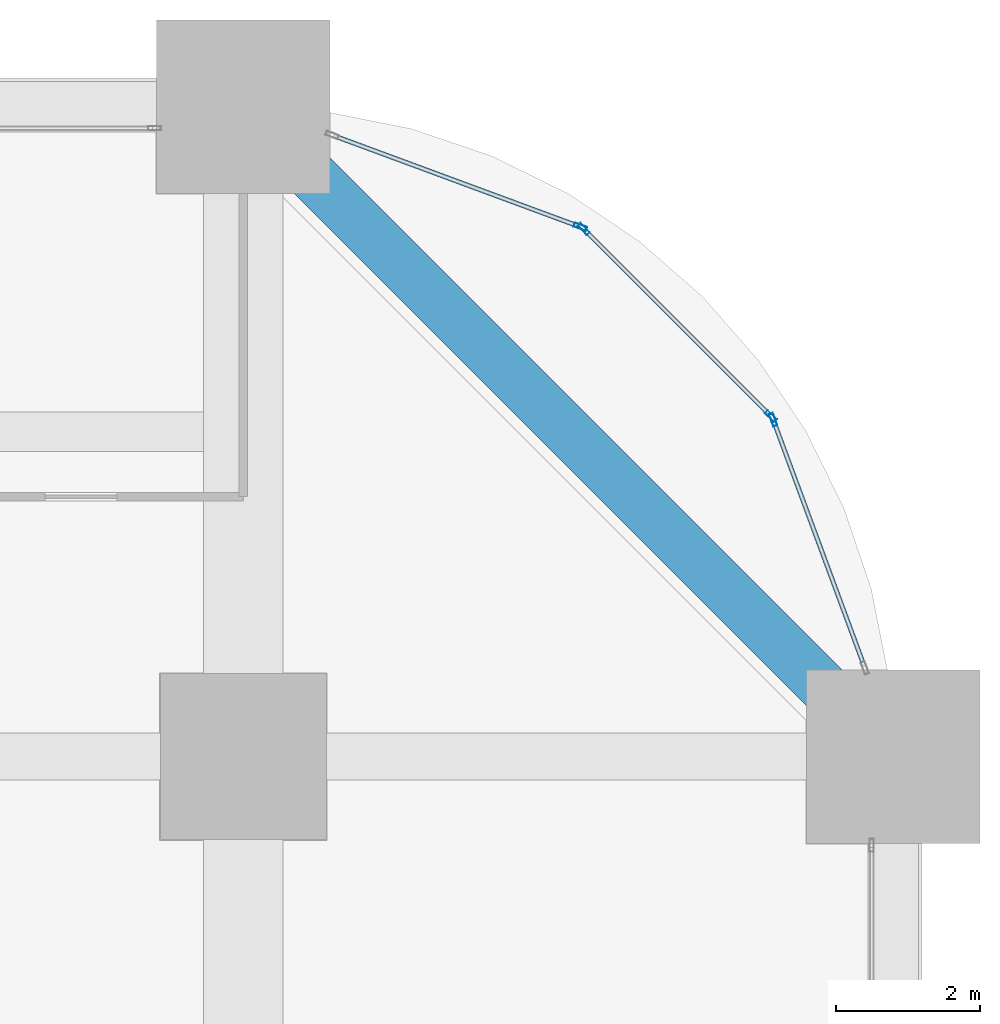
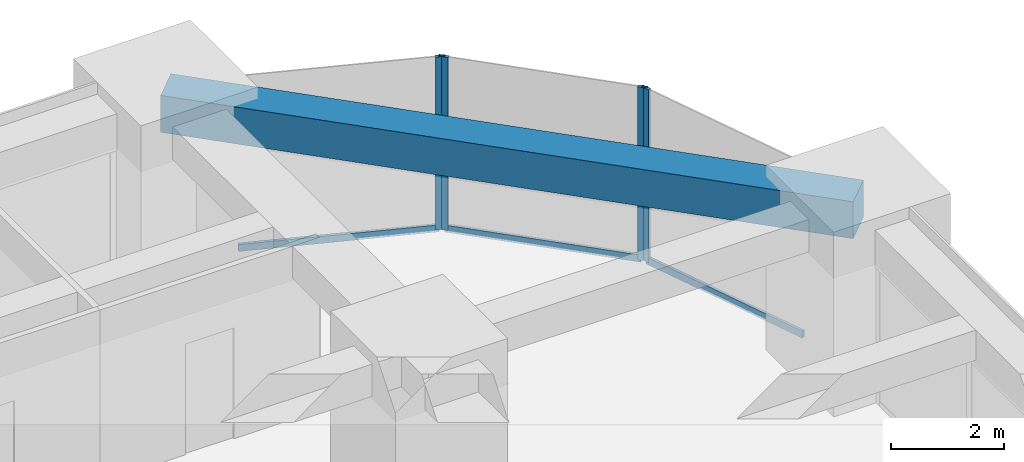
# One storey, part 37 of 44: 7 members, 1 beam, 3 elements without a shape of their own.
"""IFC4 building model written with IfcOpenShell, lengths in metres."""

from ifc_helpers import new_model, si_unit, direction, frame, origin, origin_2d, place, context, subcontext, project, spatial, rectangle, hollow_rectangle, extrude, material, material_profile, profile_set, type_object, element, aggregate, save


model = new_model("IFC4")

# Units and contexts
model_context = context("Model", 3, precision=1e-05, world=origin(), true_north=direction((0.0, 1.0)))
body_context = subcontext(model_context, "Body", "Model", "MODEL_VIEW")
ifc_project = project(units=[si_unit("LENGTHUNIT", "METRE"), si_unit("AREAUNIT", "SQUARE_METRE"), si_unit("VOLUMEUNIT", "CUBIC_METRE"), si_unit("PLANEANGLEUNIT", "RADIAN"), si_unit("MASSUNIT", "GRAM", prefix="KILO")], contexts=[model_context])

# Site, building, storey
site_placement = place(None, origin())
site = spatial("IfcSite", under=ifc_project, at=site_placement, CompositionType="ELEMENT")
building_placement = place(site_placement, origin())
building = spatial("IfcBuilding", under=site, at=building_placement, Name="Zorevar Civic Tower", CompositionType="ELEMENT")
storey_placement = place(building_placement, frame((0.0, 0.0, 31.800048828125)))
storey = spatial("IfcBuildingStorey", under=building, at=storey_placement, Name="L07", CompositionType="ELEMENT", Elevation=31.800048828125)

# Curtain wall, member
ifc_material_1 = material(Name="Dark grey solar-control glass in black aluminium frame", Category="aluminium")
curtain_wall_type = type_object("IfcCurtainWallType", Name="Curtain wall CW2 low zone", PredefinedType="NOTDEFINED", material=ifc_material_1)
curtain_wall_1_placement = place(storey_placement, origin())
curtain_wall_1 = element("IfcCurtainWall", 1, at=curtain_wall_1_placement, inside=storey, type_object=curtain_wall_type, Name="CW2 L07", PredefinedType="NOTDEFINED")
ifc_material_2 = material(Name="Aluminium, black anodised", Category="aluminium")
ifc_material_profile_1 = material_profile(ifc_material_2, hollow_rectangle(XDim=0.06005859375, YDim=0.179931640625, WallThickness=0.00390625, at=origin_2d()), Name="AL 180x60x4")
ifc_profile_set_1 = profile_set([ifc_material_profile_1], Name="Aluminium, black anodised")
member_type_1 = type_object("IfcMemberType", Name="CW2 mullion AL 180x60x4", PredefinedType="MULLION", material=ifc_profile_set_1)
member_1_placement = place(storey_placement, frame((61.336181640625, 49.66455078125, 0.0), z_axis=(0.0, 0.0, 1.0), x_axis=(-0.937974588163, -0.346704012033, 0.0)))
member_1 = element("IfcMember", 2, at=member_1_placement, type_object=member_type_1, Name="CW2 mullion 2", PredefinedType="MULLION", context=body_context, shape_type="SweptSolid", body=[
    extrude(hollow_rectangle(XDim=0.06005859375, YDim=0.179931640625, WallThickness=0.00390625, at=origin_2d()), origin(), (0.0, 0.0, 1.0), 3.75),
])

# Curtain wall, members
curtain_wall_2_placement = place(storey_placement, origin())
curtain_wall_2 = element("IfcCurtainWall", 3, at=curtain_wall_2_placement, inside=storey, type_object=curtain_wall_type, Name="CW2 L07", PredefinedType="NOTDEFINED")
member_2_placement = place(storey_placement, frame((61.3046875, 49.7138671875, 0.0), z_axis=(0.0, 0.0, 1.0), x_axis=(-0.707106781187, -0.707106781187, 0.0)))
member_2 = element("IfcMember", 4, at=member_2_placement, type_object=member_type_1, Name="CW2 mullion 1", PredefinedType="MULLION", context=body_context, shape_type="SweptSolid", body=[
    extrude(hollow_rectangle(XDim=0.06005859375, YDim=0.179931640625, WallThickness=0.00390625, at=origin_2d()), origin(), (0.0, 0.0, 1.0), 3.75),
])
member_3_placement = place(storey_placement, frame((58.7138671875, 52.3046875, 0.0), z_axis=(0.0, 0.0, 1.0), x_axis=(-0.707106781187, -0.707106781187, 0.0)))
member_3 = element("IfcMember", 5, at=member_3_placement, type_object=member_type_1, Name="CW2 mullion 2", PredefinedType="MULLION", context=body_context, shape_type="SweptSolid", body=[
    extrude(hollow_rectangle(XDim=0.06005859375, YDim=0.179931640625, WallThickness=0.00390625, at=origin_2d()), origin(), (0.0, 0.0, 1.0), 3.75),
])

# Curtain wall, member
curtain_wall_3_placement = place(storey_placement, origin())
curtain_wall_3 = element("IfcCurtainWall", 6, at=curtain_wall_3_placement, inside=storey, type_object=curtain_wall_type, Name="CW2 L07", PredefinedType="NOTDEFINED")
member_4_placement = place(storey_placement, frame((58.66455078125, 52.336181640625, 0.0), z_axis=(0.0, 0.0, 1.0), x_axis=(-0.346704012033, -0.937974588163, 0.0)))
member_4 = element("IfcMember", 7, at=member_4_placement, type_object=member_type_1, Name="CW2 mullion 1", PredefinedType="MULLION", context=body_context, shape_type="SweptSolid", body=[
    extrude(hollow_rectangle(XDim=0.06005859375, YDim=0.179931640625, WallThickness=0.00390625, at=origin_2d()), origin(), (0.0, 0.0, 1.0), 3.75),
])

# Member
ifc_material_3 = material(Name="Aluminium, black anodised", Category="aluminium")
ifc_material_profile_2 = material_profile(ifc_material_3, hollow_rectangle(XDim=0.06005859375, YDim=0.14990234375, WallThickness=0.00390625, at=origin_2d()), Name="AL 150x60x4")
ifc_profile_set_2 = profile_set([ifc_material_profile_2], Name="Aluminium, black anodised")
member_type_2 = type_object("IfcMemberType", Name="CW2 transom AL 150x60x4", PredefinedType="USERDEFINED", material=ifc_profile_set_2)
member_5_placement = place(storey_placement, frame((62.595947265625, 46.25634765625, 0.030029296875), z_axis=(-0.346672169799, 0.93798635741, 0.0), x_axis=(-0.93798635741, -0.346672169799, 0.0)))
member_5 = element("IfcMember", 8, at=member_5_placement, type_object=member_type_2, Name="CW2 sill transom", ObjectType="TRANSOM", PredefinedType="USERDEFINED", context=body_context, shape_type="SweptSolid", body=[
    extrude(hollow_rectangle(XDim=0.06005859375, YDim=0.14990234375, WallThickness=0.00390625, at=origin_2d()), origin(), (0.0, 0.0, 1.0), 3.603515625),
])

aggregate(curtain_wall_1, [member_1, member_5])

member_6_placement = place(storey_placement, frame((61.283447265625, 49.735107421875, 0.030029296875), z_axis=(-0.707106781187, 0.707106781187, 0.0), x_axis=(-0.707106781187, -0.707106781187, 0.0)))
member_6 = element("IfcMember", 9, at=member_6_placement, type_object=member_type_2, Name="CW2 sill transom", ObjectType="TRANSOM", PredefinedType="USERDEFINED", context=body_context, shape_type="SweptSolid", body=[
    extrude(hollow_rectangle(XDim=0.06005859375, YDim=0.14990234375, WallThickness=0.00390625, at=origin_2d()), origin(), (0.0, 0.0, 1.0), 3.60400390625),
])

aggregate(curtain_wall_2, [member_2, member_3, member_6])

member_7_placement = place(storey_placement, frame((58.636474609375, 52.3466796875, 0.030029296875), z_axis=(-0.93798635741, 0.346672169799, 0.0), x_axis=(-0.346672169799, -0.93798635741, 0.0)))
member_7 = element("IfcMember", 10, at=member_7_placement, type_object=member_type_2, Name="CW2 sill transom", ObjectType="TRANSOM", PredefinedType="USERDEFINED", context=body_context, shape_type="SweptSolid", body=[
    extrude(hollow_rectangle(XDim=0.06005859375, YDim=0.14990234375, WallThickness=0.00390625, at=origin_2d()), origin(), (0.0, 0.0, 1.0), 3.603515625),
])

aggregate(curtain_wall_3, [member_4, member_7])

# Beam
ifc_material_4 = material(Name="Concrete C50/60", Category="concrete")
ifc_material_profile_3 = material_profile(ifc_material_4, rectangle(XDim=0.699951171875, YDim=0.800048828125, at=origin_2d()), Name="RC 700x800")
ifc_profile_set_3 = profile_set([ifc_material_profile_3], Name="Concrete C50/60")
beam_type = type_object("IfcBeamType", Name="Edge beam RC 700x800", PredefinedType="SPANDREL", material=ifc_profile_set_3)
beam_placement = place(storey_placement, frame((63.0, 45.0, 3.349853515625), z_axis=(-0.707106781187, 0.707106781187, 0.0), x_axis=(-0.707106781187, -0.707106781187, 0.0)))
element("IfcBeam", 11, at=beam_placement, inside=storey, type_object=beam_type, Name="Corner edge beam L08", PredefinedType="SPANDREL", context=body_context, shape_type="SweptSolid", body=[
    extrude(rectangle(XDim=0.699951171875, YDim=0.800048828125, at=origin_2d()), origin(), (0.0, 0.0, 1.0), 12.72802734375),
])

save(model, "model.ifc")
